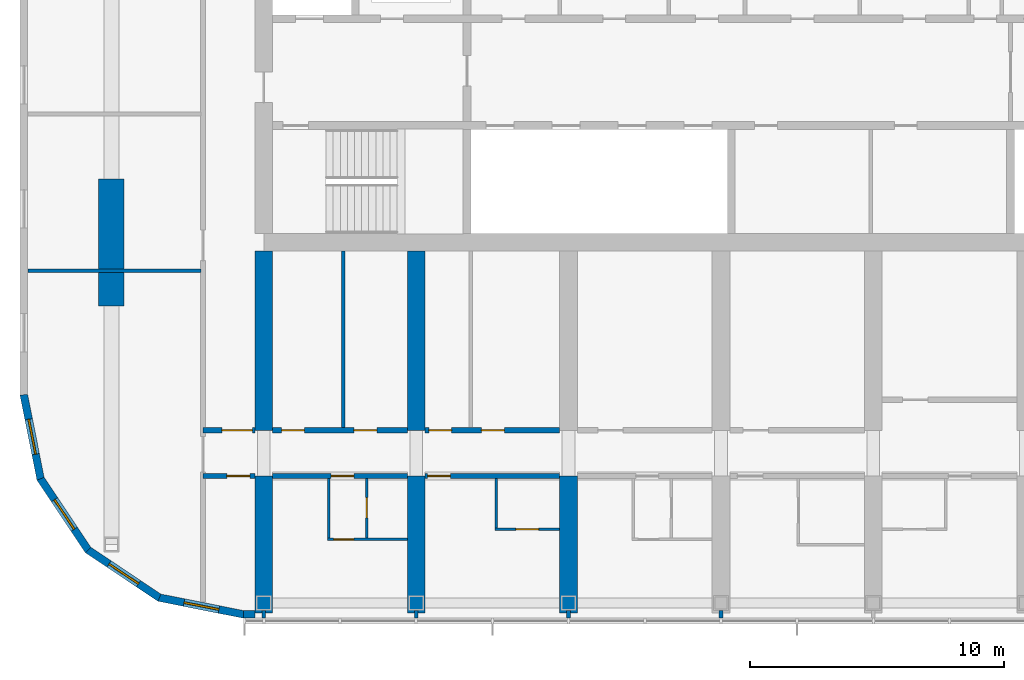
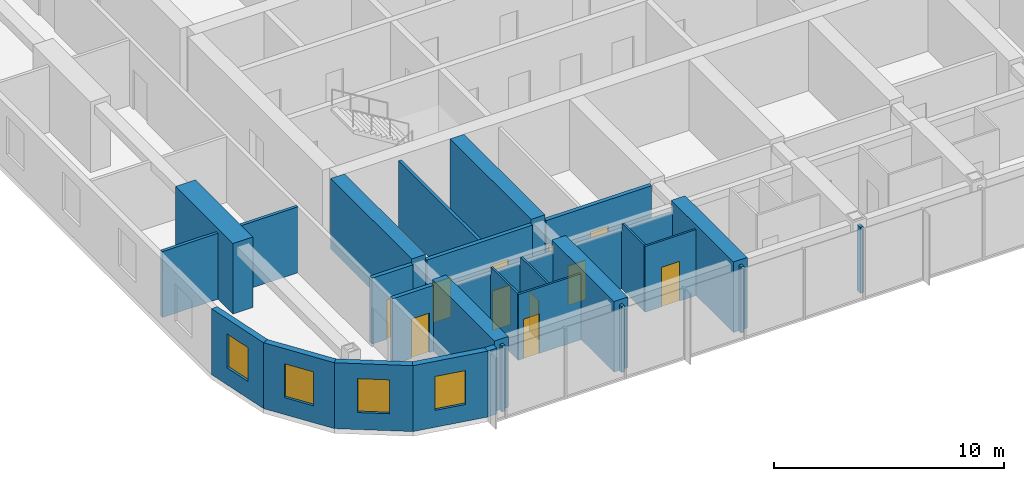
# One storey, part 10 of 23: 28 walls, 11 doors, 4 windows, 15 openings.
"""IFC4 building model written with IfcOpenShell, lengths in metres."""

from ifc_helpers import new_model, si_unit, direction, frame, frame_2d, origin, place, context, subcontext, project, spatial, polyline, rectangle, outline, extrude, material, layer, layer_set, type_object, element, fill, save


model = new_model("IFC4")

# Units and contexts
model_context = context("Model", 3, precision=1e-05, world=origin(), true_north=direction((0.0, 1.0)))
body_context = subcontext(model_context, "Body", "Model", "MODEL_VIEW")
ifc_project = project(units=[si_unit("LENGTHUNIT", "METRE"), si_unit("AREAUNIT", "SQUARE_METRE"), si_unit("VOLUMEUNIT", "CUBIC_METRE"), si_unit("PLANEANGLEUNIT", "RADIAN"), si_unit("MASSUNIT", "GRAM", prefix="KILO")], contexts=[model_context])

# Site, building, storey
site_placement = place(None, origin())
site = spatial("IfcSite", under=ifc_project, at=site_placement, CompositionType="ELEMENT")
building_placement = place(site_placement, origin())
building = spatial("IfcBuilding", under=site, at=building_placement, Name="Orbita Commons", CompositionType="ELEMENT")
storey_placement = place(building_placement, frame((0.0, 0.0, 224.050048828125)))
storey = spatial("IfcBuildingStorey", under=building, at=storey_placement, Name="L55", CompositionType="ELEMENT", Elevation=224.050048828125)

# Wall, opening, door
ifc_material_1 = material(Name="Concrete blockwork", Category="masonry")
ifc_layer_1 = layer(ifc_material_1, 0.199951171875)
ifc_layer_set_1 = layer_set([ifc_layer_1], Name="Concrete blockwork")
wall_type_1 = type_object("IfcWallType", Name="Corridor wall 200 blockwork", PredefinedType="SOLIDWALL", material=ifc_layer_set_1)
wall_1_placement = place(storey_placement, frame((15.60009765625, 16.60009765625, 0.0), z_axis=(0.0, 0.0, 1.0), x_axis=(1.0, 0.0, 0.0)))
wall_1 = element("IfcWall", 1, at=wall_1_placement, inside=storey, type_object=wall_type_1, Name="Corridor wall 200 blockwork L55", PredefinedType="SOLIDWALL", context=body_context, shape_type="SweptSolid", body=[
    extrude(rectangle(XDim=2.0498046875, YDim=0.199951171875, at=frame_2d((1.02490234375, 0.0))), origin(), (0.0, 0.0, 1.0), 3.5),
])
opening_1_placement = place(wall_1_placement, frame((0.949951171875, 0.0, 0.0)))
opening_1 = element("IfcOpeningElement", 2, at=opening_1_placement, cuts=wall_1, Name="Opening D05", PredefinedType="OPENING", context=body_context, shape_type="SweptSolid", body=[
    extrude(rectangle(XDim=0.89990234375, YDim=2.10009765625, at=frame_2d((0.449951171875, 1.050048828125))), frame((0.0, 0.10986328125, 0.0), z_axis=(0.0, -1.0, 0.0), x_axis=(1.0, 0.0, 0.0)), (0.0, 0.0, 1.0), 0.219970703125),
])
ifc_material_2 = material(Name="Steel-faced fire door leaf", Category="steel")
door_type_1 = type_object("IfcDoorType", Name="Service door 20 min 900x2100", OperationType="SINGLE_SWING_LEFT", PredefinedType="DOOR", material=ifc_material_2)
door_1_placement = place(opening_1_placement, origin())
door_1 = element("IfcDoor", 3, at=door_1_placement, inside=storey, type_object=door_type_1, Name="Linen store L55-KWS door", OperationType="SINGLE_SWING_LEFT", OverallHeight=2.10009765625, OverallWidth=0.89990234375, PredefinedType="DOOR", context=body_context, shape_type="SweptSolid", body=[
    extrude(rectangle(XDim=0.89990234375, YDim=2.10009765625, at=frame_2d((0.449951171875, 1.050048828125))), frame((0.0, 0.02490234375, 0.0), z_axis=(0.0, -1.0, 0.0), x_axis=(1.0, 0.0, 0.0)), (0.0, 0.0, 1.0), 0.050048828125),
])
fill(opening_1, door_1)

wall_2_placement = place(storey_placement, frame((18.35009765625, 16.60009765625, 0.0), z_axis=(0.0, 0.0, 1.0), x_axis=(1.0, 0.0, 0.0)))
wall_2 = element("IfcWall", 4, at=wall_2_placement, inside=storey, type_object=wall_type_1, Name="Corridor wall 200 blockwork L55", PredefinedType="SOLIDWALL", context=body_context, shape_type="SweptSolid", body=[
    extrude(outline(polyline([(0.0, 0.0), (5.2998046875, 0.0), (5.300048828125, 3.099853515625), (0.0, 3.099853515625), (0.0, 0.0)])), frame((0.0, 0.10009765625, 0.0), z_axis=(0.0, -1.0, 0.0), x_axis=(1.0, 0.0, 0.0)), (0.0, 0.0, 1.0), 0.199951171875),
])
opening_2_placement = place(wall_2_placement, frame((2.300048828125, 0.0, 0.0)))
opening_2 = element("IfcOpeningElement", 5, at=opening_2_placement, cuts=wall_2, Name="Opening D11", PredefinedType="OPENING", context=body_context, shape_type="SweptSolid", body=[
    extrude(rectangle(XDim=0.89990234375, YDim=2.10009765625, at=frame_2d((0.449951171875, 1.050048828125))), frame((0.0, 0.10986328125, 0.0), z_axis=(0.0, -1.0, 0.0), x_axis=(1.0, 0.0, 0.0)), (0.0, 0.0, 1.0), 0.219970703125),
])
ifc_material_3 = material(Name="Steel-faced fire door leaf", Category="steel")
door_type_2 = type_object("IfcDoorType", Name="Corridor door 20 min 900x2100", OperationType="SINGLE_SWING_LEFT", PredefinedType="DOOR", material=ifc_material_3)
door_2_placement = place(opening_2_placement, origin())
door_2 = element("IfcDoor", 6, at=door_2_placement, inside=storey, type_object=door_type_2, Name="Studio flat L55-S00 entrance door", OperationType="SINGLE_SWING_LEFT", OverallHeight=2.10009765625, OverallWidth=0.89990234375, PredefinedType="DOOR", context=body_context, shape_type="SweptSolid", body=[
    extrude(rectangle(XDim=0.89990234375, YDim=2.10009765625, at=frame_2d((0.449951171875, 1.050048828125))), frame((0.0, 0.02490234375, 0.0), z_axis=(0.0, -1.0, 0.0), x_axis=(1.0, 0.0, 0.0)), (0.0, 0.0, 1.0), 0.050048828125),
])
fill(opening_2, door_2)

wall_3_placement = place(storey_placement, frame((24.35009765625, 16.60009765625, 0.0), z_axis=(0.0, 0.0, 1.0), x_axis=(1.0, 0.0, 0.0)))
wall_3 = element("IfcWall", 7, at=wall_3_placement, inside=storey, type_object=wall_type_1, Name="Corridor wall 200 blockwork L55", PredefinedType="SOLIDWALL", context=body_context, shape_type="SweptSolid", body=[
    extrude(outline(polyline([(0.0, 0.0), (5.2998046875, 0.0), (5.300048828125, 3.099853515625), (0.0, 3.099853515625), (0.0, 0.0)])), frame((0.0, 0.10009765625, 0.0), z_axis=(0.0, -1.0, 0.0), x_axis=(1.0, 0.0, 0.0)), (0.0, 0.0, 1.0), 0.199951171875),
])
opening_3_placement = place(wall_3_placement, frame((0.10009765625, 0.0, 0.0)))
opening_3 = element("IfcOpeningElement", 8, at=opening_3_placement, cuts=wall_3, Name="Opening D11", PredefinedType="OPENING", context=body_context, shape_type="SweptSolid", body=[
    extrude(rectangle(XDim=0.89990234375, YDim=2.10009765625, at=frame_2d((0.449951171875, 1.050048828125))), frame((0.0, 0.10986328125, 0.0), z_axis=(0.0, -1.0, 0.0), x_axis=(1.0, 0.0, 0.0)), (0.0, 0.0, 1.0), 0.219970703125),
])
door_3_placement = place(opening_3_placement, origin())
door_3 = element("IfcDoor", 9, at=door_3_placement, inside=storey, type_object=door_type_2, Name="Studio apartment with kitchenette L55-S02 door", OperationType="SINGLE_SWING_LEFT", OverallHeight=2.10009765625, OverallWidth=0.89990234375, PredefinedType="DOOR", context=body_context, shape_type="SweptSolid", body=[
    extrude(rectangle(XDim=0.89990234375, YDim=2.10009765625, at=frame_2d((0.449951171875, 1.050048828125))), frame((0.0, 0.02490234375, 0.0), z_axis=(0.0, -1.0, 0.0), x_axis=(1.0, 0.0, 0.0)), (0.0, 0.0, 1.0), 0.050048828125),
])
fill(opening_3, door_3)

ifc_material_4 = material(Name="Hollow concrete block 200", Category="concrete")
ifc_layer_2 = layer(ifc_material_4, 0.199951171875)
ifc_layer_set_2 = layer_set([ifc_layer_2], Name="Hollow concrete block 200")
wall_type_2 = type_object("IfcWallType", Name="Corridor wall 200 hollow concrete block", PredefinedType="SOLIDWALL", material=ifc_layer_set_2)
wall_4_placement = place(storey_placement, frame((15.60009765625, 18.39990234375, 0.0), z_axis=(0.0, 0.0, 1.0), x_axis=(1.0, 0.0, 0.0)))
wall_4 = element("IfcWall", 10, at=wall_4_placement, inside=storey, type_object=wall_type_2, Name="Corridor wall 200 hollow concrete block L55", PredefinedType="SOLIDWALL", context=body_context, shape_type="SweptSolid", body=[
    extrude(rectangle(XDim=2.0498046875, YDim=0.199951171875, at=frame_2d((1.02490234375, 0.0))), origin(), (0.0, 0.0, 1.0), 3.5),
])
opening_4_placement = place(wall_4_placement, frame((0.75, 0.0, 0.0)))
opening_4 = element("IfcOpeningElement", 11, at=opening_4_placement, cuts=wall_4, Name="Opening D12", PredefinedType="OPENING", context=body_context, shape_type="SweptSolid", body=[
    extrude(rectangle(XDim=1.199951171875, YDim=2.10009765625, at=frame_2d((0.60009765625, 1.050048828125))), frame((0.0, 0.10986328125, 0.0), z_axis=(0.0, -1.0, 0.0), x_axis=(1.0, 0.0, 0.0)), (0.0, 0.0, 1.0), 0.219970703125),
])
ifc_material_5 = material(Name="Steel-faced fire door leaf", Category="steel")
door_type_3 = type_object("IfcDoorType", Name="Double corridor door 20 min 1200x2100", OperationType="DOUBLE_DOOR_SINGLE_SWING", PredefinedType="DOOR", material=ifc_material_5)
door_4_placement = place(opening_4_placement, origin())
door_4 = element("IfcDoor", 12, at=door_4_placement, inside=storey, type_object=door_type_3, Name="Cross corridor doors", OperationType="DOUBLE_DOOR_SINGLE_SWING", OverallHeight=2.10009765625, OverallWidth=1.199951171875, PredefinedType="DOOR", context=body_context, shape_type="SweptSolid", body=[
    extrude(rectangle(XDim=1.199951171875, YDim=2.10009765625, at=frame_2d((0.60009765625, 1.050048828125))), frame((0.0, 0.02490234375, 0.0), z_axis=(0.0, -1.0, 0.0), x_axis=(1.0, 0.0, 0.0)), (0.0, 0.0, 1.0), 0.050048828125),
])
fill(opening_4, door_4)

# Wall, openings, doors
wall_5_placement = place(storey_placement, frame((18.35009765625, 18.39990234375, 0.0), z_axis=(0.0, 0.0, 1.0), x_axis=(1.0, 0.0, 0.0)))
wall_5 = element("IfcWall", 13, at=wall_5_placement, inside=storey, type_object=wall_type_2, Name="Corridor wall 200 hollow concrete block L55", PredefinedType="SOLIDWALL", context=body_context, shape_type="SweptSolid", body=[
    extrude(rectangle(XDim=5.2998046875, YDim=0.199951171875, at=frame_2d((2.64990234375, 0.0))), origin(), (0.0, 0.0, 1.0), 3.5),
])
opening_5_placement = place(wall_5_placement, frame((0.35009765625, 0.0, 0.0)))
opening_5 = element("IfcOpeningElement", 14, at=opening_5_placement, cuts=wall_5, Name="Opening D11", PredefinedType="OPENING", context=body_context, shape_type="SweptSolid", body=[
    extrude(rectangle(XDim=0.89990234375, YDim=2.10009765625, at=frame_2d((0.449951171875, 1.050048828125))), frame((0.0, 0.10986328125, 0.0), z_axis=(0.0, -1.0, 0.0), x_axis=(1.0, 0.0, 0.0)), (0.0, 0.0, 1.0), 0.219970703125),
])
opening_6_placement = place(wall_5_placement, frame((3.199951171875, 0.0, 0.0)))
opening_6 = element("IfcOpeningElement", 15, at=opening_6_placement, cuts=wall_5, Name="Opening D11", PredefinedType="OPENING", context=body_context, shape_type="SweptSolid", body=[
    extrude(rectangle(XDim=0.89990234375, YDim=2.10009765625, at=frame_2d((0.449951171875, 1.050048828125))), frame((0.0, 0.10986328125, 0.0), z_axis=(0.0, -1.0, 0.0), x_axis=(1.0, 0.0, 0.0)), (0.0, 0.0, 1.0), 0.219970703125),
])
door_5_placement = place(opening_5_placement, origin())
door_5 = element("IfcDoor", 16, at=door_5_placement, inside=storey, type_object=door_type_2, Name="Board room L55-BDS18 door", OperationType="SINGLE_SWING_LEFT", OverallHeight=2.10009765625, OverallWidth=0.89990234375, PredefinedType="DOOR", context=body_context, shape_type="SweptSolid", body=[
    extrude(rectangle(XDim=0.89990234375, YDim=2.10009765625, at=frame_2d((0.449951171875, 1.050048828125))), frame((0.0, 0.02490234375, 0.0), z_axis=(0.0, -1.0, 0.0), x_axis=(1.0, 0.0, 0.0)), (0.0, 0.0, 1.0), 0.050048828125),
])
fill(opening_5, door_5)
door_6_placement = place(opening_6_placement, origin())
door_6 = element("IfcDoor", 17, at=door_6_placement, inside=storey, type_object=door_type_2, Name="Accessible WC and shower room L55-BDS18n door", OperationType="SINGLE_SWING_LEFT", OverallHeight=2.10009765625, OverallWidth=0.89990234375, PredefinedType="DOOR", context=body_context, shape_type="SweptSolid", body=[
    extrude(rectangle(XDim=0.89990234375, YDim=2.10009765625, at=frame_2d((0.449951171875, 1.050048828125))), frame((0.0, 0.02490234375, 0.0), z_axis=(0.0, -1.0, 0.0), x_axis=(1.0, 0.0, 0.0)), (0.0, 0.0, 1.0), 0.050048828125),
])
fill(opening_6, door_6)

wall_6_placement = place(storey_placement, frame((24.35009765625, 18.39990234375, 0.0), z_axis=(0.0, 0.0, 1.0), x_axis=(1.0, 0.0, 0.0)))
wall_6 = element("IfcWall", 18, at=wall_6_placement, inside=storey, type_object=wall_type_2, Name="Corridor wall 200 hollow concrete block L55", PredefinedType="SOLIDWALL", context=body_context, shape_type="SweptSolid", body=[
    extrude(rectangle(XDim=5.2998046875, YDim=0.199951171875, at=frame_2d((2.64990234375, 0.0))), origin(), (0.0, 0.0, 1.0), 3.5),
])
opening_7_placement = place(wall_6_placement, frame((0.14990234375, 0.0, 0.0)))
opening_7 = element("IfcOpeningElement", 19, at=opening_7_placement, cuts=wall_6, Name="Opening D11", PredefinedType="OPENING", context=body_context, shape_type="SweptSolid", body=[
    extrude(rectangle(XDim=0.89990234375, YDim=2.10009765625, at=frame_2d((0.449951171875, 1.050048828125))), frame((0.0, 0.10986328125, 0.0), z_axis=(0.0, -1.0, 0.0), x_axis=(1.0, 0.0, 0.0)), (0.0, 0.0, 1.0), 0.219970703125),
])
opening_8_placement = place(wall_6_placement, frame((2.219970703125, 0.0, 0.0)))
opening_8 = element("IfcOpeningElement", 20, at=opening_8_placement, cuts=wall_6, Name="Opening D11", PredefinedType="OPENING", context=body_context, shape_type="SweptSolid", body=[
    extrude(rectangle(XDim=0.89990234375, YDim=2.10009765625, at=frame_2d((0.449951171875, 1.050048828125))), frame((0.0, 0.10986328125, 0.0), z_axis=(0.0, -1.0, 0.0), x_axis=(1.0, 0.0, 0.0)), (0.0, 0.0, 1.0), 0.219970703125),
])
door_7_placement = place(opening_7_placement, origin())
door_7 = element("IfcDoor", 21, at=door_7_placement, inside=storey, type_object=door_type_2, Name="Battery and UPS room L55-BDS24n door", OperationType="SINGLE_SWING_LEFT", OverallHeight=2.10009765625, OverallWidth=0.89990234375, PredefinedType="DOOR", context=body_context, shape_type="SweptSolid", body=[
    extrude(rectangle(XDim=0.89990234375, YDim=2.10009765625, at=frame_2d((0.449951171875, 1.050048828125))), frame((0.0, 0.02490234375, 0.0), z_axis=(0.0, -1.0, 0.0), x_axis=(1.0, 0.0, 0.0)), (0.0, 0.0, 1.0), 0.050048828125),
])
fill(opening_7, door_7)
door_8_placement = place(opening_8_placement, origin())
door_8 = element("IfcDoor", 22, at=door_8_placement, inside=storey, type_object=door_type_2, Name="Interview room L55-BDS24 door", OperationType="SINGLE_SWING_LEFT", OverallHeight=2.10009765625, OverallWidth=0.89990234375, PredefinedType="DOOR", context=body_context, shape_type="SweptSolid", body=[
    extrude(rectangle(XDim=0.89990234375, YDim=2.10009765625, at=frame_2d((0.449951171875, 1.050048828125))), frame((0.0, 0.02490234375, 0.0), z_axis=(0.0, -1.0, 0.0), x_axis=(1.0, 0.0, 0.0)), (0.0, 0.0, 1.0), 0.050048828125),
])
fill(opening_8, door_8)

# Walls
ifc_material_6 = material(Name="Concrete C50/60", Category="concrete")
ifc_layer_3 = layer(ifc_material_6, 0.699951171875)
ifc_layer_set_3 = layer_set([ifc_layer_3], Name="Concrete C50/60")
wall_type_3 = type_object("IfcWallType", Name="Cross wall 700 C50/60", PredefinedType="SHEAR", material=ifc_layer_set_3)
wall_7_placement = place(storey_placement, frame((18.0, 11.199951171875, 0.0), z_axis=(0.0, 0.0, 1.0), x_axis=(0.0, 1.0, 0.0)))
element("IfcWall", 23, at=wall_7_placement, inside=storey, type_object=wall_type_3, Name="Cross wall 4 south outer L55", PredefinedType="SHEAR", context=body_context, shape_type="SweptSolid", body=[
    extrude(rectangle(XDim=5.400146484375, YDim=0.699951171875, at=frame_2d((2.7001953125, 0.0))), origin(), (0.0, 0.0, 1.0), 3.75),
])
wall_8_placement = place(storey_placement, frame((18.0, 18.39990234375, 0.0), z_axis=(0.0, 0.0, 1.0), x_axis=(0.0, 1.0, 0.0)))
element("IfcWall", 24, at=wall_8_placement, inside=storey, type_object=wall_type_3, Name="Cross wall 4 south inner L55", PredefinedType="SHEAR", context=body_context, shape_type="SweptSolid", body=[
    extrude(rectangle(XDim=7.050048828125, YDim=0.699951171875, at=frame_2d((3.52490234375, 0.0))), origin(), (0.0, 0.0, 1.0), 3.75),
])
wall_9_placement = place(storey_placement, frame((24.0, 11.199951171875, 0.0), z_axis=(0.0, 0.0, 1.0), x_axis=(0.0, 1.0, 0.0)))
element("IfcWall", 25, at=wall_9_placement, inside=storey, type_object=wall_type_3, Name="Cross wall 5 south outer L55", PredefinedType="SHEAR", context=body_context, shape_type="SweptSolid", body=[
    extrude(rectangle(XDim=5.400146484375, YDim=0.699951171875, at=frame_2d((2.7001953125, 0.0))), origin(), (0.0, 0.0, 1.0), 3.75),
])
wall_10_placement = place(storey_placement, frame((24.0, 18.39990234375, 0.0), z_axis=(0.0, 0.0, 1.0), x_axis=(0.0, 1.0, 0.0)))
element("IfcWall", 26, at=wall_10_placement, inside=storey, type_object=wall_type_3, Name="Cross wall 5 south inner L55", PredefinedType="SHEAR", context=body_context, shape_type="SweptSolid", body=[
    extrude(rectangle(XDim=7.050048828125, YDim=0.699951171875, at=frame_2d((3.52490234375, 0.0))), origin(), (0.0, 0.0, 1.0), 3.75),
])
wall_11_placement = place(storey_placement, frame((30.0, 11.199951171875, 0.0), z_axis=(0.0, 0.0, 1.0), x_axis=(0.0, 1.0, 0.0)))
element("IfcWall", 27, at=wall_11_placement, inside=storey, type_object=wall_type_3, Name="Cross wall 6 south outer L55", PredefinedType="SHEAR", context=body_context, shape_type="SweptSolid", body=[
    extrude(rectangle(XDim=5.400146484375, YDim=0.699951171875, at=frame_2d((2.7001953125, 0.0))), origin(), (0.0, 0.0, 1.0), 3.75),
])

# Wall, opening, door
ifc_material_7 = material(Name="Moisture-resistant plasterboard on steel studs", Category="steel")
ifc_layer_4 = layer(ifc_material_7, 0.10009765625)
ifc_layer_set_4 = layer_set([ifc_layer_4], Name="Moisture-resistant plasterboard on steel studs")
wall_type_4 = type_object("IfcWallType", Name="En-suite partition 100", PredefinedType="PARTITIONING", material=ifc_layer_set_4)
wall_12_placement = place(storey_placement, frame((23.64990234375, 14.10009765625, 0.0), z_axis=(0.0, 0.0, 1.0), x_axis=(-1.0, 0.0, 0.0)))
wall_12 = element("IfcWall", 28, at=wall_12_placement, inside=storey, type_object=wall_type_4, Name="En-suite partition 100 L55", PredefinedType="PARTITIONING", context=body_context, shape_type="SweptSolid", body=[
    extrude(rectangle(XDim=3.14990234375, YDim=0.10009765625, at=frame_2d((1.574951171875, 0.0))), origin(), (0.0, 0.0, 1.0), 3.5),
])
opening_9_placement = place(wall_12_placement, frame((2.10009765625, 0.0, 0.0)))
opening_9 = element("IfcOpeningElement", 29, at=opening_9_placement, cuts=wall_12, Name="Opening D16", PredefinedType="OPENING", context=body_context, shape_type="SweptSolid", body=[
    extrude(rectangle(XDim=0.800048828125, YDim=2.10009765625, at=frame_2d((0.39990234375, 1.050048828125))), frame((0.0, 0.06005859375, 0.0), z_axis=(0.0, -1.0, 0.0), x_axis=(1.0, 0.0, 0.0)), (0.0, 0.0, 1.0), 0.1201171875),
])
ifc_material_8 = material(Name="Laminated timber door leaf", Category="wood")
door_type_4 = type_object("IfcDoorType", Name="En-suite door 800x2100", OperationType="SINGLE_SWING_RIGHT", PredefinedType="DOOR", material=ifc_material_8)
door_9_placement = place(opening_9_placement, origin())
door_9 = element("IfcDoor", 30, at=door_9_placement, inside=storey, type_object=door_type_4, Name="Studio flat L55-S00 door", OperationType="SINGLE_SWING_RIGHT", OverallHeight=2.10009765625, OverallWidth=0.800048828125, PredefinedType="DOOR", context=body_context, shape_type="SweptSolid", body=[
    extrude(rectangle(XDim=0.800048828125, YDim=2.10009765625, at=frame_2d((0.39990234375, 1.050048828125))), frame((0.0, 0.02490234375, 0.0), z_axis=(0.0, -1.0, 0.0), x_axis=(1.0, 0.0, 0.0)), (0.0, 0.0, 1.0), 0.050048828125),
])
fill(opening_9, door_9)

# Wall
wall_13_placement = place(storey_placement, frame((20.550048828125, 14.14990234375, 0.0), z_axis=(0.0, 0.0, 1.0), x_axis=(0.0, 1.0, 0.0)))
element("IfcWall", 31, at=wall_13_placement, inside=storey, type_object=wall_type_4, Name="En-suite partition 100 L55", PredefinedType="PARTITIONING", context=body_context, shape_type="SweptSolid", body=[
    extrude(outline(polyline([(0.0, 0.0), (2.35009765625, 0.0), (2.35009765625, 3.099853515625), (2.302001953125, 3.099853515625), (2.300048828125, 3.5), (0.0, 3.5), (0.0, 0.0)])), frame((0.0, 0.050048828125, 0.0), z_axis=(0.0, -1.0, 0.0), x_axis=(1.0, 0.0, 0.0)), (0.0, 0.0, 1.0), 0.10009765625),
])

# Wall, opening, door
wall_14_placement = place(storey_placement, frame((22.050048828125, 14.14990234375, 0.0), z_axis=(0.0, 0.0, 1.0), x_axis=(0.0, 1.0, 0.0)))
wall_14 = element("IfcWall", 32, at=wall_14_placement, inside=storey, type_object=wall_type_4, Name="En-suite partition 100 L55", PredefinedType="PARTITIONING", context=body_context, shape_type="SweptSolid", body=[
    extrude(outline(polyline([(0.0, 0.0), (2.35009765625, 0.0), (2.35009765625, 3.099853515625), (2.302001953125, 3.099853515625), (2.300048828125, 3.5), (0.0, 3.5), (0.0, 0.0)])), frame((0.0, 0.050048828125, 0.0), z_axis=(0.0, -1.0, 0.0), x_axis=(1.0, 0.0, 0.0)), (0.0, 0.0, 1.0), 0.10009765625),
])
opening_10_placement = place(wall_14_placement, frame((0.800048828125, 0.0, 0.0)))
opening_10 = element("IfcOpeningElement", 33, at=opening_10_placement, cuts=wall_14, Name="Opening D16", PredefinedType="OPENING", context=body_context, shape_type="SweptSolid", body=[
    extrude(rectangle(XDim=0.800048828125, YDim=2.10009765625, at=frame_2d((0.39990234375, 1.050048828125))), frame((0.0, 0.06005859375, 0.0), z_axis=(0.0, -1.0, 0.0), x_axis=(1.0, 0.0, 0.0)), (0.0, 0.0, 1.0), 0.1201171875),
])
door_10_placement = place(opening_10_placement, origin())
door_10 = element("IfcDoor", 34, at=door_10_placement, inside=storey, type_object=door_type_4, Name="Studio flat shower room L55-S00 door", OperationType="SINGLE_SWING_RIGHT", OverallHeight=2.10009765625, OverallWidth=0.800048828125, PredefinedType="DOOR", context=body_context, shape_type="SweptSolid", body=[
    extrude(rectangle(XDim=0.800048828125, YDim=2.10009765625, at=frame_2d((0.39990234375, 1.050048828125))), frame((0.0, 0.02490234375, 0.0), z_axis=(0.0, -1.0, 0.0), x_axis=(1.0, 0.0, 0.0)), (0.0, 0.0, 1.0), 0.050048828125),
])
fill(opening_10, door_10)

wall_15_placement = place(storey_placement, frame((29.64990234375, 14.5, 0.0), z_axis=(0.0, 0.0, 1.0), x_axis=(-1.0, 0.0, 0.0)))
wall_15 = element("IfcWall", 35, at=wall_15_placement, inside=storey, type_object=wall_type_4, Name="En-suite partition 100 L55", PredefinedType="PARTITIONING", context=body_context, shape_type="SweptSolid", body=[
    extrude(rectangle(XDim=2.5498046875, YDim=0.10009765625, at=frame_2d((1.27490234375, 0.0))), origin(), (0.0, 0.0, 1.0), 3.5),
])
opening_11_placement = place(wall_15_placement, frame((0.824951171875, 0.0, 0.0)))
opening_11 = element("IfcOpeningElement", 36, at=opening_11_placement, cuts=wall_15, Name="Opening D09", PredefinedType="OPENING", context=body_context, shape_type="SweptSolid", body=[
    extrude(rectangle(XDim=0.89990234375, YDim=2.10009765625, at=frame_2d((0.449951171875, 1.050048828125))), frame((0.0, 0.06005859375, 0.0), z_axis=(0.0, -1.0, 0.0), x_axis=(1.0, 0.0, 0.0)), (0.0, 0.0, 1.0), 0.1201171875),
])
ifc_material_9 = material(Name="Laminated timber door leaf", Category="wood")
door_type_5 = type_object("IfcDoorType", Name="En-suite door 900x2100", OperationType="SINGLE_SWING_RIGHT", PredefinedType="DOOR", material=ifc_material_9)
door_11_placement = place(opening_11_placement, origin())
door_11 = element("IfcDoor", 37, at=door_11_placement, inside=storey, type_object=door_type_5, Name="En-suite L55-S02 door", OperationType="SINGLE_SWING_RIGHT", OverallHeight=2.10009765625, OverallWidth=0.89990234375, PredefinedType="DOOR", context=body_context, shape_type="SweptSolid", body=[
    extrude(rectangle(XDim=0.89990234375, YDim=2.10009765625, at=frame_2d((0.449951171875, 1.050048828125))), frame((0.0, 0.02490234375, 0.0), z_axis=(0.0, -1.0, 0.0), x_axis=(1.0, 0.0, 0.0)), (0.0, 0.0, 1.0), 0.050048828125),
])
fill(opening_11, door_11)

# Walls
wall_16_placement = place(storey_placement, frame((27.14990234375, 14.550048828125, 0.0), z_axis=(0.0, 0.0, 1.0), x_axis=(0.0, 1.0, 0.0)))
element("IfcWall", 38, at=wall_16_placement, inside=storey, type_object=wall_type_4, Name="En-suite partition 100 L55", PredefinedType="PARTITIONING", context=body_context, shape_type="SweptSolid", body=[
    extrude(outline(polyline([(0.0, 0.0), (1.949951171875, 0.0), (1.949951171875, 3.099853515625), (1.902099609375, 3.099853515625), (1.89990234375, 3.5), (0.0, 3.5), (0.0, 0.0)])), frame((0.0, 0.050048828125, 0.0), z_axis=(0.0, -1.0, 0.0), x_axis=(1.0, 0.0, 0.0)), (0.0, 0.0, 1.0), 0.10009765625),
])
ifc_material_10 = material(Name="Concrete C50/60", Category="concrete")
ifc_layer_5 = layer(ifc_material_10, 1.0)
ifc_layer_set_5 = layer_set([ifc_layer_5], Name="Concrete C50/60")
wall_type_5 = type_object("IfcWallType", Name="End pier 1000x5000 C50/60", PredefinedType="SHEAR", material=ifc_layer_set_5)
wall_17_placement = place(storey_placement, frame((12.0, 23.300048828125, 0.0), z_axis=(0.0, 0.0, 1.0), x_axis=(0.0, 1.0, 0.0)))
element("IfcWall", 39, at=wall_17_placement, inside=storey, type_object=wall_type_5, Name="End pier 3/C L55", PredefinedType="SHEAR", context=body_context, shape_type="SweptSolid", body=[
    extrude(rectangle(XDim=5.0, YDim=1.0, at=frame_2d((2.5, 0.0))), origin(), (0.0, 0.0, 1.0), 3.75),
])
ifc_material_11 = material(Name="Gypsum plasterboard on steel studs", Category="steel")
ifc_layer_6 = layer(ifc_material_11, 0.14990234375)
ifc_layer_set_6 = layer_set([ifc_layer_6], Name="Gypsum plasterboard on steel studs")
wall_type_6 = type_object("IfcWallType", Name="Partition 150 plasterboard", PredefinedType="PARTITIONING", material=ifc_layer_set_6)
wall_18_placement = place(storey_placement, frame((21.125, 18.5, 0.0), z_axis=(0.0, 0.0, 1.0), x_axis=(0.0, 1.0, 0.0)))
element("IfcWall", 40, at=wall_18_placement, inside=storey, type_object=wall_type_6, Name="Partition 150 plasterboard L55", PredefinedType="PARTITIONING", context=body_context, shape_type="SweptSolid", body=[
    extrude(rectangle(XDim=6.949951171875, YDim=0.14990234375, at=frame_2d((3.47509765625, 0.0))), origin(), (0.0, 0.0, 1.0), 3.5),
])
wall_19_placement = place(storey_placement, frame((8.705078125, 24.679931640625, 0.0), z_axis=(0.0, 0.0, 1.0), x_axis=(1.0, 0.0, 0.0)))
element("IfcWall", 41, at=wall_19_placement, inside=storey, type_object=wall_type_6, Name="Partition 150 plasterboard L55", PredefinedType="PARTITIONING", context=body_context, shape_type="SweptSolid", body=[
    extrude(rectangle(XDim=6.81982421875, YDim=0.14990234375, at=frame_2d((3.409912109375, 0.0))), origin(), (0.0, 0.0, 1.0), 3.5),
])
for number, where, z_axis, x_axis, name in (
    (42, (18.0, 11.300048828125, 0.0), (0.0, 0.0, 1.0), (0.0, -1.0, 0.0), "Partition 150 plasterboard L55"),
    (43, (24.0, 11.300048828125, 0.0), (0.0, 0.0, 1.0), (0.0, -1.0, 0.0), "Partition 150 plasterboard L55"),
    (44, (30.0, 11.300048828125, 0.0), (0.0, 0.0, 1.0), (0.0, -1.0, 0.0), "Partition 150 plasterboard L55"),
    (45, (36.0, 11.300048828125, 0.0), (0.0, 0.0, 1.0), (0.0, -1.0, 0.0), "Partition 150 plasterboard L55"),
):
    element("IfcWall", number, at=place(storey_placement, frame(where, z_axis=z_axis, x_axis=x_axis)), inside=storey, type_object=wall_type_6, Name=name, PredefinedType="PARTITIONING", context=body_context, shape_type="SweptSolid", body=[
        extrude(rectangle(XDim=0.2900390625, YDim=0.14990234375, at=frame_2d((0.14501953125, 0.0))), origin(), (0.0, 0.0, 1.0), 3.5),
    ])

# Wall, opening, window
ifc_material_12 = material(Name="Precast concrete C40/50, white board-marked finish", Category="concrete")
ifc_layer_7 = layer(ifc_material_12, 0.300048828125)
ifc_layer_set_7 = layer_set([ifc_layer_7], Name="Precast concrete C40/50, white board-marked finish")
wall_type_7 = type_object("IfcWallType", Name="Precast concrete end shield 300", PredefinedType="SOLIDWALL", material=ifc_layer_set_7)
wall_20_placement = place(storey_placement, frame((8.550048828125, 19.800048828125, 0.0), z_axis=(0.0, 0.0, 1.0), x_axis=(0.19508664885, -0.980786011034, 0.0)))
wall_20 = element("IfcWall", 46, at=wall_20_placement, inside=storey, type_object=wall_type_7, Name="End shield SW chord 1 L55", PredefinedType="SOLIDWALL", context=body_context, shape_type="SweptSolid", body=[
    extrude(outline(polyline([(-0.014892578125, -0.14990234375), (3.405029296875, -0.14990234375), (3.345458984375, 0.14990234375), (0.014892578125, 0.14990234375), (-0.014892578125, -0.14990234375)])), origin(), (0.0, 0.0, 1.0), 3.5),
])
opening_12_placement = place(wall_20_placement, frame((0.987548828125, 0.0, 0.89990234375)))
opening_12 = element("IfcOpeningElement", 47, at=opening_12_placement, cuts=wall_20, Name="Opening W02", PredefinedType="OPENING", context=body_context, shape_type="SweptSolid", body=[
    extrude(rectangle(XDim=1.39990234375, YDim=1.800048828125, at=frame_2d((0.699951171875, 0.89990234375))), frame((0.0, 0.159912109375, 0.0), z_axis=(0.0, -1.0, 0.0), x_axis=(1.0, 0.0, 0.0)), (0.0, 0.0, 1.0), 0.320068359375),
])
ifc_material_13 = material(Name="Aluminium frame, clear double glazing", Category="aluminium")
window_type = type_object("IfcWindowType", Name="Deep-set window 1400x1800", PartitioningType="SINGLE_PANEL", PredefinedType="WINDOW", material=ifc_material_13)
window_1_placement = place(opening_12_placement, origin())
window_1 = element("IfcWindow", 48, at=window_1_placement, inside=storey, type_object=window_type, Name="Window L55-SW0", OverallHeight=1.800048828125, OverallWidth=1.39990234375, PartitioningType="SINGLE_PANEL", PredefinedType="WINDOW", context=body_context, shape_type="SweptSolid", body=[
    extrude(rectangle(XDim=1.39990234375, YDim=1.800048828125, at=frame_2d((0.699951171875, 0.89990234375))), frame((0.0, 0.030029296875, 0.0), z_axis=(0.0, -1.0, 0.0), x_axis=(1.0, 0.0, 0.0)), (0.0, 0.0, 1.0), 0.06005859375),
])
fill(opening_12, window_1)

wall_21_placement = place(storey_placement, frame((9.20849609375, 16.48974609375, 0.0), z_axis=(0.0, 0.0, 1.0), x_axis=(0.555567969291, -0.831471124873, 0.0)))
wall_21 = element("IfcWall", 49, at=wall_21_placement, inside=storey, type_object=wall_type_7, Name="End shield SW chord 2 L55", PredefinedType="SOLIDWALL", context=body_context, shape_type="SweptSolid", body=[
    extrude(outline(polyline([(-0.02978515625, -0.14990234375), (3.40478515625, -0.14990234375), (3.34521484375, 0.14990234375), (0.02978515625, 0.14990234375), (-0.02978515625, -0.14990234375)])), origin(), (0.0, 0.0, 1.0), 3.5),
])
opening_13_placement = place(wall_21_placement, frame((0.987548828125, 0.0, 0.89990234375)))
opening_13 = element("IfcOpeningElement", 50, at=opening_13_placement, cuts=wall_21, Name="Opening W02", PredefinedType="OPENING", context=body_context, shape_type="SweptSolid", body=[
    extrude(rectangle(XDim=1.39990234375, YDim=1.800048828125, at=frame_2d((0.699951171875, 0.89990234375))), frame((0.0, 0.159912109375, 0.0), z_axis=(0.0, -1.0, 0.0), x_axis=(1.0, 0.0, 0.0)), (0.0, 0.0, 1.0), 0.320068359375),
])
window_2_placement = place(opening_13_placement, origin())
window_2 = element("IfcWindow", 51, at=window_2_placement, inside=storey, type_object=window_type, Name="Window L55-SW1", OverallHeight=1.800048828125, OverallWidth=1.39990234375, PartitioningType="SINGLE_PANEL", PredefinedType="WINDOW", context=body_context, shape_type="SweptSolid", body=[
    extrude(rectangle(XDim=1.39990234375, YDim=1.800048828125, at=frame_2d((0.699951171875, 0.89990234375))), frame((0.0, 0.030029296875, 0.0), z_axis=(0.0, -1.0, 0.0), x_axis=(1.0, 0.0, 0.0)), (0.0, 0.0, 1.0), 0.06005859375),
])
fill(opening_13, window_2)

wall_22_placement = place(storey_placement, frame((11.08349609375, 13.68359375, 0.0), z_axis=(0.0, 0.0, 1.0), x_axis=(0.831460037396, -0.555584562613, 0.0)))
wall_22 = element("IfcWall", 52, at=wall_22_placement, inside=storey, type_object=wall_type_7, Name="End shield SW chord 3 L55", PredefinedType="SOLIDWALL", context=body_context, shape_type="SweptSolid", body=[
    extrude(outline(polyline([(-0.02978515625, -0.14990234375), (3.405029296875, -0.14990234375), (3.345458984375, 0.14990234375), (0.02978515625, 0.14990234375), (-0.02978515625, -0.14990234375)])), origin(), (0.0, 0.0, 1.0), 3.5),
])
opening_14_placement = place(wall_22_placement, frame((0.987548828125, 0.0, 0.89990234375)))
opening_14 = element("IfcOpeningElement", 53, at=opening_14_placement, cuts=wall_22, Name="Opening W02", PredefinedType="OPENING", context=body_context, shape_type="SweptSolid", body=[
    extrude(rectangle(XDim=1.39990234375, YDim=1.800048828125, at=frame_2d((0.699951171875, 0.89990234375))), frame((0.0, 0.159912109375, 0.0), z_axis=(0.0, -1.0, 0.0), x_axis=(1.0, 0.0, 0.0)), (0.0, 0.0, 1.0), 0.320068359375),
])
window_3_placement = place(opening_14_placement, origin())
window_3 = element("IfcWindow", 54, at=window_3_placement, inside=storey, type_object=window_type, Name="Window L55-SW2", OverallHeight=1.800048828125, OverallWidth=1.39990234375, PartitioningType="SINGLE_PANEL", PredefinedType="WINDOW", context=body_context, shape_type="SweptSolid", body=[
    extrude(rectangle(XDim=1.39990234375, YDim=1.800048828125, at=frame_2d((0.699951171875, 0.89990234375))), frame((0.0, 0.030029296875, 0.0), z_axis=(0.0, -1.0, 0.0), x_axis=(1.0, 0.0, 0.0)), (0.0, 0.0, 1.0), 0.06005859375),
])
fill(opening_14, window_3)

wall_23_placement = place(storey_placement, frame((13.889892578125, 11.808349609375, 0.0), z_axis=(0.0, 0.0, 1.0), x_axis=(0.98078325777, -0.195100490205, 0.0)))
wall_23 = element("IfcWall", 55, at=wall_23_placement, inside=storey, type_object=wall_type_7, Name="End shield SW chord 4 L55", PredefinedType="SOLIDWALL", context=body_context, shape_type="SweptSolid", body=[
    extrude(outline(polyline([(-0.02978515625, -0.14990234375), (3.40478515625, -0.14990234375), (3.34521484375, 0.14990234375), (0.02978515625, 0.14990234375), (-0.02978515625, -0.14990234375)])), origin(), (0.0, 0.0, 1.0), 3.5),
])
opening_15_placement = place(wall_23_placement, frame((0.987548828125, 0.0, 0.89990234375)))
opening_15 = element("IfcOpeningElement", 56, at=opening_15_placement, cuts=wall_23, Name="Opening W02", PredefinedType="OPENING", context=body_context, shape_type="SweptSolid", body=[
    extrude(rectangle(XDim=1.39990234375, YDim=1.800048828125, at=frame_2d((0.699951171875, 0.89990234375))), frame((0.0, 0.159912109375, 0.0), z_axis=(0.0, -1.0, 0.0), x_axis=(1.0, 0.0, 0.0)), (0.0, 0.0, 1.0), 0.320068359375),
])
window_4_placement = place(opening_15_placement, origin())
window_4 = element("IfcWindow", 57, at=window_4_placement, inside=storey, type_object=window_type, Name="Window L55-SW3", OverallHeight=1.800048828125, OverallWidth=1.39990234375, PartitioningType="SINGLE_PANEL", PredefinedType="WINDOW", context=body_context, shape_type="SweptSolid", body=[
    extrude(rectangle(XDim=1.39990234375, YDim=1.800048828125, at=frame_2d((0.699951171875, 0.89990234375))), frame((0.0, 0.030029296875, 0.0), z_axis=(0.0, -1.0, 0.0), x_axis=(1.0, 0.0, 0.0)), (0.0, 0.0, 1.0), 0.06005859375),
])
fill(opening_15, window_4)

# Wall
wall_24_placement = place(storey_placement, frame((17.199951171875, 11.14990234375, 0.0), z_axis=(0.0, 0.0, 1.0), x_axis=(1.0, 0.0, 0.0)))
element("IfcWall", 58, at=wall_24_placement, inside=storey, type_object=wall_type_7, Name="End shield SW closer L55", PredefinedType="SOLIDWALL", context=body_context, shape_type="SweptSolid", body=[
    extrude(rectangle(XDim=0.449951171875, YDim=0.300048828125, at=frame_2d((0.22509765625, 0.0))), origin(), (0.0, 0.0, 1.0), 3.5),
])

save(model, "model.ifc")
